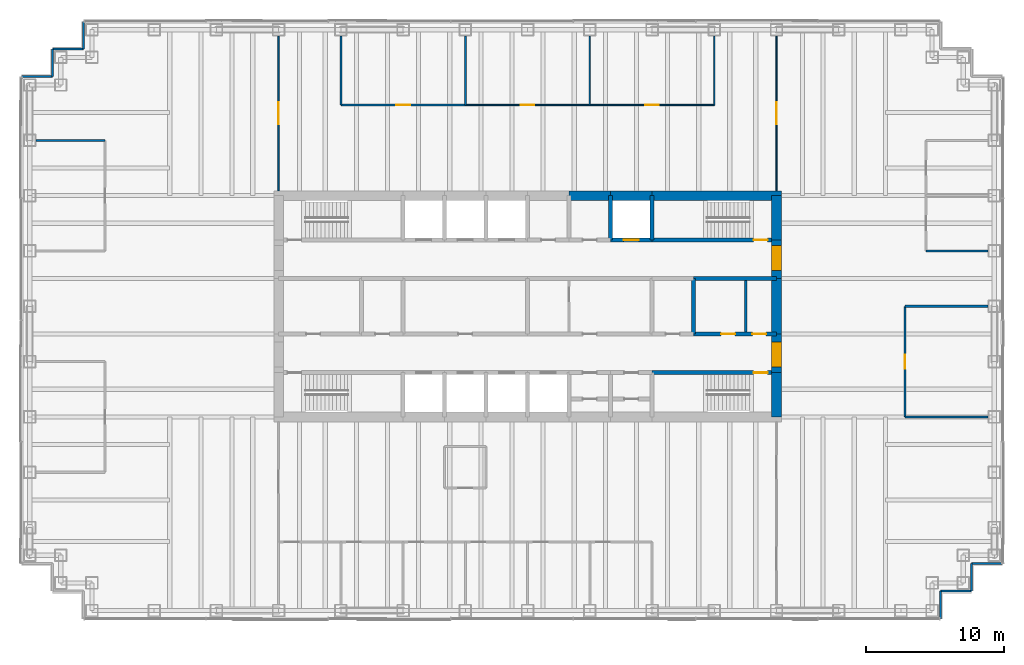
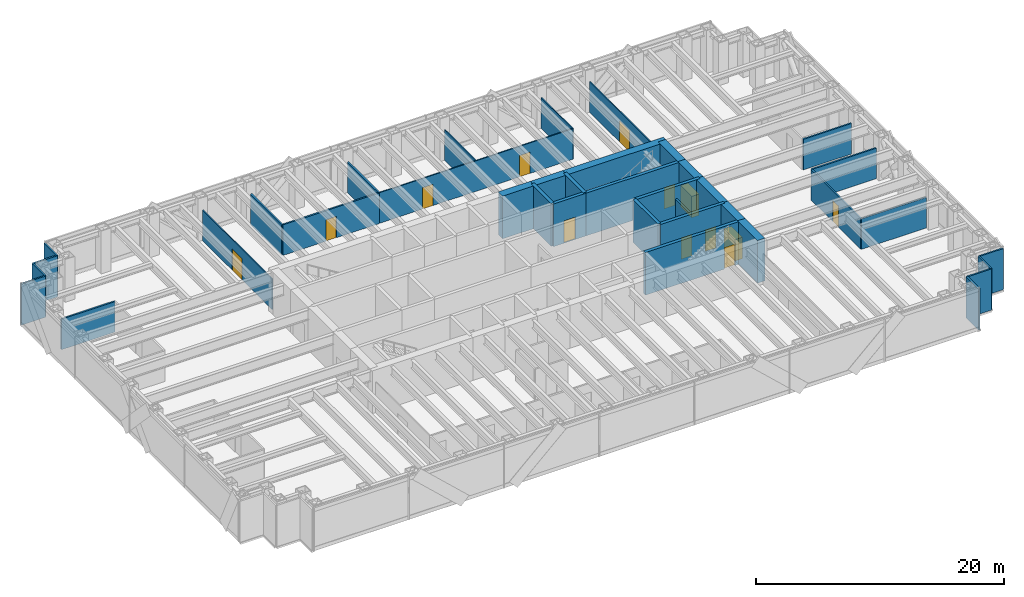
# One storey, part 13 of 15: 38 walls, 13 doors, 13 openings.
"""IFC4 building model written with IfcOpenShell, lengths in metres."""

from ifc_helpers import new_model, si_unit, direction, frame, frame_2d, origin, place, context, subcontext, project, spatial, rectangle, extrude, material, layer, layer_set, type_object, element, fill, save


model = new_model("IFC4")

# Units and contexts
model_context = context("Model", 3, precision=1e-05, world=origin(), true_north=direction((0.0, 1.0)))
body_context = subcontext(model_context, "Body", "Model", "MODEL_VIEW")
ifc_project = project(units=[si_unit("LENGTHUNIT", "METRE"), si_unit("AREAUNIT", "SQUARE_METRE"), si_unit("VOLUMEUNIT", "CUBIC_METRE"), si_unit("PLANEANGLEUNIT", "RADIAN"), si_unit("MASSUNIT", "GRAM", prefix="KILO")], contexts=[model_context])

# Site, building, storey
site_placement = place(None, origin())
site = spatial("IfcSite", under=ifc_project, at=site_placement, CompositionType="ELEMENT")
building_placement = place(site_placement, origin())
building = spatial("IfcBuilding", under=site, at=building_placement, Name="Rheinbord Bourse Tower", CompositionType="ELEMENT")
storey_placement = place(building_placement, frame((0.0, 0.0, 292.10009765625)))
storey = spatial("IfcBuildingStorey", under=building, at=storey_placement, Name="L66", CompositionType="ELEMENT", Elevation=292.10009765625)

# Wall, opening, door
ifc_material_1 = material(Name="Concrete C50/60", Category="concrete")
ifc_layer_1 = layer(ifc_material_1, 0.300048828125)
ifc_layer_set_1 = layer_set([ifc_layer_1], Name="CORE INNER WALL 300")
wall_type_1 = type_object("IfcWallType", Name="CORE INNER WALL 300", PredefinedType="SOLIDWALL", material=ifc_layer_set_1)
wall_1_placement = place(storey_placement, frame((45.0, 19.199951171875, 0.0), z_axis=(0.0, 0.0, 1.0), x_axis=(1.0, 0.0, 0.0)))
wall_1 = element("IfcWall", 1, at=wall_1_placement, inside=storey, type_object=wall_type_1, Name="Core wall A8 L66", PredefinedType="SOLIDWALL", context=body_context, shape_type="SweptSolid", body=[
    extrude(rectangle(XDim=9.0, YDim=0.300048828125, at=frame_2d((4.5, 0.0))), origin(), (0.0, 0.0, 1.0), 4.199951171875),
])
opening_1_placement = place(wall_1_placement, frame((7.35009765625, 0.0, 0.0)))
opening_1 = element("IfcOpeningElement", 2, at=opening_1_placement, cuts=wall_1, Name="Opening 6630", PredefinedType="OPENING", context=body_context, shape_type="SweptSolid", body=[
    extrude(rectangle(XDim=1.0, YDim=2.10009765625, at=frame_2d((0.5, 1.050048828125))), frame((0.0, 0.159912109375, 0.0), z_axis=(0.0, -1.0, 0.0), x_axis=(1.0, 0.0, 0.0)), (0.0, 0.0, 1.0), 0.320068359375),
])
ifc_material_2 = material(Name="Steel door", Category="steel")
door_type_1 = type_object("IfcDoorType", Name="DOOR 1000 EI30", OperationType="SINGLE_SWING_LEFT", PredefinedType="DOOR", material=ifc_material_2)
door_1_placement = place(opening_1_placement, origin())
door_1 = element("IfcDoor", 3, at=door_1_placement, inside=storey, type_object=door_type_1, Name="Stair door ST3 L66", OperationType="SINGLE_SWING_RIGHT", OverallHeight=2.10009765625, OverallWidth=1.0, PredefinedType="DOOR", context=body_context, shape_type="SweptSolid", body=[
    extrude(rectangle(XDim=1.0, YDim=2.10009765625, at=frame_2d((0.5, 1.050048828125))), frame((0.0, 0.02490234375, 0.0), z_axis=(0.0, -1.0, 0.0), x_axis=(1.0, 0.0, 0.0)), (0.0, 0.0, 1.0), 0.050048828125),
])
fill(opening_1, door_1)

wall_2_placement = place(storey_placement, frame((42.0, 28.800048828125, 0.0), z_axis=(0.0, 0.0, 1.0), x_axis=(1.0, 0.0, 0.0)))
wall_2 = element("IfcWall", 4, at=wall_2_placement, inside=storey, type_object=wall_type_1, Name="Core wall B7 L66", PredefinedType="SOLIDWALL", context=body_context, shape_type="SweptSolid", body=[
    extrude(rectangle(XDim=3.0, YDim=0.300048828125, at=frame_2d((1.5, 0.0))), origin(), (0.0, 0.0, 1.0), 4.199951171875),
])
opening_2_placement = place(wall_2_placement, frame((0.949951171875, 0.0, 0.0)))
opening_2 = element("IfcOpeningElement", 5, at=opening_2_placement, cuts=wall_2, Name="Opening FL2", PredefinedType="OPENING", context=body_context, shape_type="SweptSolid", body=[
    extrude(rectangle(XDim=1.10009765625, YDim=2.199951171875, at=frame_2d((0.550048828125, 1.10009765625))), frame((0.0, 0.159912109375, 0.0), z_axis=(0.0, -1.0, 0.0), x_axis=(1.0, 0.0, 0.0)), (0.0, 0.0, 1.0), 0.320068359375),
])
ifc_material_3 = material(Name="Steel landing door", Category="steel")
door_type_2 = type_object("IfcDoorType", Name="LIFT LANDING DOOR 1100", OperationType="DOUBLE_DOOR_SLIDING", PredefinedType="USERDEFINED", material=ifc_material_3)
door_2_placement = place(opening_2_placement, origin())
door_2 = element("IfcDoor", 6, at=door_2_placement, inside=storey, type_object=door_type_2, Name="Lift landing door FL2 L66", ObjectType="LIFT LANDING DOOR", OperationType="DOUBLE_DOOR_SLIDING", OverallHeight=2.199951171875, OverallWidth=1.10009765625, PredefinedType="USERDEFINED", context=body_context, shape_type="SweptSolid", body=[
    extrude(rectangle(XDim=1.10009765625, YDim=2.199951171875, at=frame_2d((0.550048828125, 1.10009765625))), frame((0.0, 0.02490234375, 0.0), z_axis=(0.0, -1.0, 0.0), x_axis=(1.0, 0.0, 0.0)), (0.0, 0.0, 1.0), 0.050048828125),
])
fill(opening_2, door_2)

wall_3_placement = place(storey_placement, frame((45.0, 28.800048828125, 0.0), z_axis=(0.0, 0.0, 1.0), x_axis=(1.0, 0.0, 0.0)))
wall_3 = element("IfcWall", 7, at=wall_3_placement, inside=storey, type_object=wall_type_1, Name="Core wall B8 L66", PredefinedType="SOLIDWALL", context=body_context, shape_type="SweptSolid", body=[
    extrude(rectangle(XDim=9.0, YDim=0.300048828125, at=frame_2d((4.5, 0.0))), origin(), (0.0, 0.0, 1.0), 4.199951171875),
])
opening_3_placement = place(wall_3_placement, frame((7.35009765625, 0.0, 0.0)))
opening_3 = element("IfcOpeningElement", 8, at=opening_3_placement, cuts=wall_3, Name="Opening 6640", PredefinedType="OPENING", context=body_context, shape_type="SweptSolid", body=[
    extrude(rectangle(XDim=1.0, YDim=2.10009765625, at=frame_2d((0.5, 1.050048828125))), frame((0.0, 0.159912109375, 0.0), z_axis=(0.0, -1.0, 0.0), x_axis=(1.0, 0.0, 0.0)), (0.0, 0.0, 1.0), 0.320068359375),
])
door_3_placement = place(opening_3_placement, origin())
door_3 = element("IfcDoor", 9, at=door_3_placement, inside=storey, type_object=door_type_1, Name="Stair door ST4 L66", OperationType="SINGLE_SWING_RIGHT", OverallHeight=2.10009765625, OverallWidth=1.0, PredefinedType="DOOR", context=body_context, shape_type="SweptSolid", body=[
    extrude(rectangle(XDim=1.0, YDim=2.10009765625, at=frame_2d((0.5, 1.050048828125))), frame((0.0, 0.02490234375, 0.0), z_axis=(0.0, -1.0, 0.0), x_axis=(1.0, 0.0, 0.0)), (0.0, 0.0, 1.0), 0.050048828125),
])
fill(opening_3, door_3)

# Wall, openings, doors
wall_4_placement = place(storey_placement, frame((48.0, 22.0, 0.0), z_axis=(0.0, 0.0, 1.0), x_axis=(1.0, 0.0, 0.0)))
wall_4 = element("IfcWall", 10, at=wall_4_placement, inside=storey, type_object=wall_type_1, Name="Core wall C6 L66", PredefinedType="SOLIDWALL", context=body_context, shape_type="SweptSolid", body=[
    extrude(rectangle(XDim=6.0, YDim=0.300048828125, at=frame_2d((3.0, 0.0))), origin(), (0.0, 0.0, 1.0), 4.199951171875),
])
opening_4_placement = place(wall_4_placement, frame((2.0, 0.0, 0.0)))
opening_4 = element("IfcOpeningElement", 11, at=opening_4_placement, cuts=wall_4, Name="Opening 66R6", PredefinedType="OPENING", context=body_context, shape_type="SweptSolid", body=[
    extrude(rectangle(XDim=1.0, YDim=2.10009765625, at=frame_2d((0.5, 1.050048828125))), frame((0.0, 0.159912109375, 0.0), z_axis=(0.0, -1.0, 0.0), x_axis=(1.0, 0.0, 0.0)), (0.0, 0.0, 1.0), 0.320068359375),
])
opening_5_placement = place(wall_4_placement, frame((4.25, 0.0, 0.0)))
opening_5 = element("IfcOpeningElement", 12, at=opening_5_placement, cuts=wall_4, Name="Opening 66R10", PredefinedType="OPENING", context=body_context, shape_type="SweptSolid", body=[
    extrude(rectangle(XDim=1.0, YDim=2.10009765625, at=frame_2d((0.5, 1.050048828125))), frame((0.0, 0.159912109375, 0.0), z_axis=(0.0, -1.0, 0.0), x_axis=(1.0, 0.0, 0.0)), (0.0, 0.0, 1.0), 0.320068359375),
])
door_4_placement = place(opening_5_placement, origin())
door_4 = element("IfcDoor", 13, at=door_4_placement, inside=storey, type_object=door_type_1, Name="Baby change door L66", OperationType="SINGLE_SWING_RIGHT", OverallHeight=2.10009765625, OverallWidth=1.0, PredefinedType="DOOR", context=body_context, shape_type="SweptSolid", body=[
    extrude(rectangle(XDim=1.0, YDim=2.10009765625, at=frame_2d((0.5, 1.050048828125))), frame((0.0, 0.02490234375, 0.0), z_axis=(0.0, -1.0, 0.0), x_axis=(1.0, 0.0, 0.0)), (0.0, 0.0, 1.0), 0.050048828125),
])
fill(opening_5, door_4)
ifc_material_4 = material(Name="Timber door", Category="wood")
door_type_3 = type_object("IfcDoorType", Name="DOOR 1000 WC", OperationType="SINGLE_SWING_LEFT", PredefinedType="DOOR", material=ifc_material_4)
door_5_placement = place(opening_4_placement, origin())
door_5 = element("IfcDoor", 14, at=door_5_placement, inside=storey, type_object=door_type_3, Name="WC women door L66", OperationType="SINGLE_SWING_LEFT", OverallHeight=2.10009765625, OverallWidth=1.0, PredefinedType="DOOR", context=body_context, shape_type="SweptSolid", body=[
    extrude(rectangle(XDim=1.0, YDim=2.10009765625, at=frame_2d((0.5, 1.050048828125))), frame((0.0, 0.02490234375, 0.0), z_axis=(0.0, -1.0, 0.0), x_axis=(1.0, 0.0, 0.0)), (0.0, 0.0, 1.0), 0.050048828125),
])
fill(opening_4, door_5)

# Walls
wall_5_placement = place(storey_placement, frame((48.0, 26.0, 0.0), z_axis=(0.0, 0.0, 1.0), x_axis=(1.0, 0.0, 0.0)))
element("IfcWall", 15, at=wall_5_placement, inside=storey, type_object=wall_type_1, Name="Core wall D6 L66", PredefinedType="SOLIDWALL", context=body_context, shape_type="SweptSolid", body=[
    extrude(rectangle(XDim=6.0, YDim=0.300048828125, at=frame_2d((3.0, 0.0))), origin(), (0.0, 0.0, 1.0), 4.199951171875),
])
for number, where, z_axis, x_axis, name in (
    (16, (42.0, 28.800048828125, 0.0), (0.0, 0.0, 1.0), (0.0, 1.0, 0.0), "Core wall NX42 L66"),
    (17, (45.0, 28.800048828125, 0.0), (0.0, 0.0, 1.0), (0.0, 1.0, 0.0), "Core wall NX45 L66"),
):
    element("IfcWall", number, at=place(storey_placement, frame(where, z_axis=z_axis, x_axis=x_axis)), inside=storey, type_object=wall_type_1, Name=name, PredefinedType="SOLIDWALL", context=body_context, shape_type="SweptSolid", body=[
        extrude(rectangle(XDim=3.199951171875, YDim=0.300048828125, at=frame_2d((1.60009765625, 0.0))), origin(), (0.0, 0.0, 1.0), 4.199951171875),
    ])
wall_6_placement = place(storey_placement, frame((48.0, 22.0, 0.0), z_axis=(0.0, 0.0, 1.0), x_axis=(0.0, 1.0, 0.0)))
element("IfcWall", 18, at=wall_6_placement, inside=storey, type_object=wall_type_1, Name="Core wall MX48 L66", PredefinedType="SOLIDWALL", context=body_context, shape_type="SweptSolid", body=[
    extrude(rectangle(XDim=4.0, YDim=0.300048828125, at=frame_2d((2.0, 0.0))), origin(), (0.0, 0.0, 1.0), 4.199951171875),
])
ifc_material_5 = material(Name="Gypsum board fire partition", Category="gypsum board")
ifc_layer_2 = layer(ifc_material_5, 0.14990234375)
ifc_layer_set_2 = layer_set([ifc_layer_2], Name="CORE PARTITION 150 EI30")
wall_type_2 = type_object("IfcWallType", Name="CORE PARTITION 150 EI30", PredefinedType="PARTITIONING", material=ifc_layer_set_2)
wall_7_placement = place(storey_placement, frame((51.77490234375, 22.14990234375, 0.0), z_axis=(0.0, 0.0, 1.0), x_axis=(0.0, 1.0, 0.0)))
element("IfcWall", 19, at=wall_7_placement, inside=storey, type_object=wall_type_2, Name="Core partition L66-3", PredefinedType="PARTITIONING", context=body_context, shape_type="SweptSolid", body=[
    extrude(rectangle(XDim=3.7001953125, YDim=0.14990234375, at=frame_2d((1.85009765625, 0.0))), origin(), (0.0, 0.0, 1.0), 3.0),
])
ifc_material_6 = material(Name="Concrete C50/60", Category="concrete")
ifc_layer_3 = layer(ifc_material_6, 0.699951171875)
ifc_layer_set_3 = layer_set([ifc_layer_3], Name="CORE WALL 700")
wall_type_3 = type_object("IfcWallType", Name="CORE WALL 700", PredefinedType="SHEAR", material=ifc_layer_set_3)
wall_8_placement = place(storey_placement, frame((54.35009765625, 32.0, 0.0), z_axis=(0.0, 0.0, 1.0), x_axis=(-1.0, 0.0, 0.0)))
element("IfcWall", 20, at=wall_8_placement, inside=storey, type_object=wall_type_3, Name="Core wall N1 L66", PredefinedType="SHEAR", context=body_context, shape_type="SweptSolid", body=[
    extrude(rectangle(XDim=9.35009765625, YDim=0.699951171875, at=frame_2d((4.675048828125, 0.0))), origin(), (0.0, 0.0, 1.0), 4.199951171875),
])
for number, where, z_axis, x_axis, name in (
    (21, (45.0, 32.0, 0.0), (0.0, 0.0, 1.0), (-1.0, 0.0, 0.0), "Core wall N2 L66"),
    (22, (42.0, 32.0, 0.0), (0.0, 0.0, 1.0), (-1.0, 0.0, 0.0), "Core wall N3 L66"),
):
    element("IfcWall", number, at=place(storey_placement, frame(where, z_axis=z_axis, x_axis=x_axis)), inside=storey, type_object=wall_type_3, Name=name, PredefinedType="SHEAR", context=body_context, shape_type="SweptSolid", body=[
        extrude(rectangle(XDim=3.0, YDim=0.699951171875, at=frame_2d((1.5, 0.0))), origin(), (0.0, 0.0, 1.0), 4.199951171875),
    ])
wall_9_placement = place(storey_placement, frame((54.0, 16.0, 0.0), z_axis=(0.0, 0.0, 1.0), x_axis=(0.0, 1.0, 0.0)))
element("IfcWall", 23, at=wall_9_placement, inside=storey, type_object=wall_type_3, Name="Core wall E1 L66", PredefinedType="SHEAR", context=body_context, shape_type="SweptSolid", body=[
    extrude(rectangle(XDim=3.199951171875, YDim=0.699951171875, at=frame_2d((1.60009765625, 0.0))), origin(), (0.0, 0.0, 1.0), 4.199951171875),
])

# Wall, opening, door
wall_10_placement = place(storey_placement, frame((54.0, 19.199951171875, 0.0), z_axis=(0.0, 0.0, 1.0), x_axis=(0.0, 1.0, 0.0)))
wall_10 = element("IfcWall", 24, at=wall_10_placement, inside=storey, type_object=wall_type_3, Name="Core wall E2 L66", PredefinedType="SHEAR", context=body_context, shape_type="SweptSolid", body=[
    extrude(rectangle(XDim=2.800048828125, YDim=0.699951171875, at=frame_2d((1.39990234375, 0.0))), origin(), (0.0, 0.0, 1.0), 4.199951171875),
])
opening_6_placement = place(wall_10_placement, frame((0.39990234375, 0.0, 0.0)))
opening_6 = element("IfcOpeningElement", 25, at=opening_6_placement, cuts=wall_10, Name="Opening 66L3", PredefinedType="OPENING", context=body_context, shape_type="SweptSolid", body=[
    extrude(rectangle(XDim=1.800048828125, YDim=2.10009765625, at=frame_2d((0.89990234375, 1.050048828125))), frame((0.0, 0.35986328125, 0.0), z_axis=(0.0, -1.0, 0.0), x_axis=(1.0, 0.0, 0.0)), (0.0, 0.0, 1.0), 0.719970703125),
])
ifc_material_7 = material(Name="Steel door", Category="steel")
door_type_4 = type_object("IfcDoorType", Name="DOOR 1800 EI30 DOUBLE", OperationType="DOUBLE_DOOR_DOUBLE_SWING", PredefinedType="DOOR", material=ifc_material_7)
door_6_placement = place(opening_6_placement, origin())
door_6 = element("IfcDoor", 26, at=door_6_placement, inside=storey, type_object=door_type_4, Name="Lobby door 3 L66", OperationType="SINGLE_SWING_LEFT", OverallHeight=2.10009765625, OverallWidth=1.800048828125, PredefinedType="DOOR", context=body_context, shape_type="SweptSolid", body=[
    extrude(rectangle(XDim=1.800048828125, YDim=2.10009765625, at=frame_2d((0.89990234375, 1.050048828125))), frame((0.0, 0.349609375, 0.0), z_axis=(0.0, -1.0, 0.0), x_axis=(1.0, 0.0, 0.0)), (0.0, 0.0, 1.0), 0.699462890625),
])
fill(opening_6, door_6)

# Wall
wall_11_placement = place(storey_placement, frame((54.0, 22.0, 0.0), z_axis=(0.0, 0.0, 1.0), x_axis=(0.0, 1.0, 0.0)))
element("IfcWall", 27, at=wall_11_placement, inside=storey, type_object=wall_type_3, Name="Core wall E3 L66", PredefinedType="SHEAR", context=body_context, shape_type="SweptSolid", body=[
    extrude(rectangle(XDim=4.0, YDim=0.699951171875, at=frame_2d((2.0, 0.0))), origin(), (0.0, 0.0, 1.0), 4.199951171875),
])

# Wall, opening, door
wall_12_placement = place(storey_placement, frame((54.0, 26.0, 0.0), z_axis=(0.0, 0.0, 1.0), x_axis=(0.0, 1.0, 0.0)))
wall_12 = element("IfcWall", 28, at=wall_12_placement, inside=storey, type_object=wall_type_3, Name="Core wall E4 L66", PredefinedType="SHEAR", context=body_context, shape_type="SweptSolid", body=[
    extrude(rectangle(XDim=2.800048828125, YDim=0.699951171875, at=frame_2d((1.39990234375, 0.0))), origin(), (0.0, 0.0, 1.0), 4.199951171875),
])
opening_7_placement = place(wall_12_placement, frame((0.60009765625, 0.0, 0.0)))
opening_7 = element("IfcOpeningElement", 29, at=opening_7_placement, cuts=wall_12, Name="Opening 66L4", PredefinedType="OPENING", context=body_context, shape_type="SweptSolid", body=[
    extrude(rectangle(XDim=1.800048828125, YDim=2.10009765625, at=frame_2d((0.89990234375, 1.050048828125))), frame((0.0, 0.35986328125, 0.0), z_axis=(0.0, -1.0, 0.0), x_axis=(1.0, 0.0, 0.0)), (0.0, 0.0, 1.0), 0.719970703125),
])
door_7_placement = place(opening_7_placement, origin())
door_7 = element("IfcDoor", 30, at=door_7_placement, inside=storey, type_object=door_type_4, Name="Lobby door 4 L66", OperationType="SINGLE_SWING_LEFT", OverallHeight=2.10009765625, OverallWidth=1.800048828125, PredefinedType="DOOR", context=body_context, shape_type="SweptSolid", body=[
    extrude(rectangle(XDim=1.800048828125, YDim=2.10009765625, at=frame_2d((0.89990234375, 1.050048828125))), frame((0.0, 0.349609375, 0.0), z_axis=(0.0, -1.0, 0.0), x_axis=(1.0, 0.0, 0.0)), (0.0, 0.0, 1.0), 0.699462890625),
])
fill(opening_7, door_7)

# Walls
wall_13_placement = place(storey_placement, frame((54.0, 28.800048828125, 0.0), z_axis=(0.0, 0.0, 1.0), x_axis=(0.0, 1.0, 0.0)))
element("IfcWall", 31, at=wall_13_placement, inside=storey, type_object=wall_type_3, Name="Core wall E5 L66", PredefinedType="SHEAR", context=body_context, shape_type="SweptSolid", body=[
    extrude(rectangle(XDim=3.199951171875, YDim=0.699951171875, at=frame_2d((1.60009765625, 0.0))), origin(), (0.0, 0.0, 1.0), 4.199951171875),
])
ifc_material_8 = material(Name="Black metal rainscreen panel", Category="aluminium")
ifc_layer_4 = layer(ifc_material_8, 0.14990234375)
ifc_layer_set_4 = layer_set([ifc_layer_4], Name="CORNER PIER CLADDING 150")
wall_type_4 = type_object("IfcWallType", Name="CORNER PIER CLADDING 150", PredefinedType="ELEMENTEDWALL", material=ifc_layer_set_4)
wall_14_placement = place(storey_placement, frame((65.85009765625, 1.39990234375, 0.0), z_axis=(0.0, 0.0, 1.0), x_axis=(0.0, 1.0, 0.0)))
element("IfcWall", 32, at=wall_14_placement, inside=storey, type_object=wall_type_4, Name="Corner pier cladding L66 2", PredefinedType="ELEMENTEDWALL", context=body_context, shape_type="SweptSolid", body=[
    extrude(rectangle(XDim=2.0, YDim=0.14990234375, at=frame_2d((1.0, 0.0))), origin(), (0.0, 0.0, 1.0), 4.039794921875),
])
wall_15_placement = place(storey_placement, frame((65.85009765625, 3.39990234375, 0.0), z_axis=(0.0, 0.0, 1.0), x_axis=(1.0, 0.0, 0.0)))
element("IfcWall", 33, at=wall_15_placement, inside=storey, type_object=wall_type_4, Name="Corner pier cladding L66 3", PredefinedType="ELEMENTEDWALL", context=body_context, shape_type="SweptSolid", body=[
    extrude(rectangle(XDim=2.25, YDim=0.14990234375, at=frame_2d((1.125, 0.0))), origin(), (0.0, 0.0, 1.0), 4.039794921875),
])
wall_16_placement = place(storey_placement, frame((68.10009765625, 3.39990234375, 0.0), z_axis=(0.0, 0.0, 1.0), x_axis=(0.0, 1.0, 0.0)))
element("IfcWall", 34, at=wall_16_placement, inside=storey, type_object=wall_type_4, Name="Corner pier cladding L66 4", PredefinedType="ELEMENTEDWALL", context=body_context, shape_type="SweptSolid", body=[
    extrude(rectangle(XDim=2.0, YDim=0.14990234375, at=frame_2d((1.0, 0.0))), origin(), (0.0, 0.0, 1.0), 4.039794921875),
])
wall_17_placement = place(storey_placement, frame((68.10009765625, 5.39990234375, 0.0), z_axis=(0.0, 0.0, 1.0), x_axis=(1.0, 0.0, 0.0)))
element("IfcWall", 35, at=wall_17_placement, inside=storey, type_object=wall_type_4, Name="Corner pier cladding L66 5", PredefinedType="ELEMENTEDWALL", context=body_context, shape_type="SweptSolid", body=[
    extrude(rectangle(XDim=2.25, YDim=0.14990234375, at=frame_2d((1.125, 0.0))), origin(), (0.0, 0.0, 1.0), 4.039794921875),
])
wall_18_placement = place(storey_placement, frame((3.89990234375, 44.60009765625, 0.0), z_axis=(0.0, 0.0, 1.0), x_axis=(0.0, -1.0, 0.0)))
element("IfcWall", 36, at=wall_18_placement, inside=storey, type_object=wall_type_4, Name="Corner pier cladding L66 12", PredefinedType="ELEMENTEDWALL", context=body_context, shape_type="SweptSolid", body=[
    extrude(rectangle(XDim=2.0, YDim=0.14990234375, at=frame_2d((1.0, 0.0))), origin(), (0.0, 0.0, 1.0), 4.039794921875),
])
wall_19_placement = place(storey_placement, frame((3.89990234375, 42.60009765625, 0.0), z_axis=(0.0, 0.0, 1.0), x_axis=(-1.0, 0.0, 0.0)))
element("IfcWall", 37, at=wall_19_placement, inside=storey, type_object=wall_type_4, Name="Corner pier cladding L66 13", PredefinedType="ELEMENTEDWALL", context=body_context, shape_type="SweptSolid", body=[
    extrude(rectangle(XDim=2.25, YDim=0.14990234375, at=frame_2d((1.125, 0.0))), origin(), (0.0, 0.0, 1.0), 4.039794921875),
])
wall_20_placement = place(storey_placement, frame((1.64990234375, 42.60009765625, 0.0), z_axis=(0.0, 0.0, 1.0), x_axis=(0.0, -1.0, 0.0)))
element("IfcWall", 38, at=wall_20_placement, inside=storey, type_object=wall_type_4, Name="Corner pier cladding L66 14", PredefinedType="ELEMENTEDWALL", context=body_context, shape_type="SweptSolid", body=[
    extrude(rectangle(XDim=2.0, YDim=0.14990234375, at=frame_2d((1.0, 0.0))), origin(), (0.0, 0.0, 1.0), 4.039794921875),
])
wall_21_placement = place(storey_placement, frame((1.64990234375, 40.60009765625, 0.0), z_axis=(0.0, 0.0, 1.0), x_axis=(-1.0, 0.0, 0.0)))
element("IfcWall", 39, at=wall_21_placement, inside=storey, type_object=wall_type_4, Name="Corner pier cladding L66 15", PredefinedType="ELEMENTEDWALL", context=body_context, shape_type="SweptSolid", body=[
    extrude(rectangle(XDim=2.25, YDim=0.14990234375, at=frame_2d((1.125, 0.0))), origin(), (0.0, 0.0, 1.0), 4.039794921875),
])
ifc_material_9 = material(Name="Gypsum board fire partition", Category="gypsum board")
ifc_layer_5 = layer(ifc_material_9, 0.14990234375)
ifc_layer_set_5 = layer_set([ifc_layer_5], Name="FIRE PARTITION 150 EI60")
wall_type_5 = type_object("IfcWallType", Name="FIRE PARTITION 150 EI60", PredefinedType="PARTITIONING", material=ifc_layer_set_5)
wall_22_placement = place(storey_placement, frame((0.449951171875, 36.0, 0.0), z_axis=(0.0, 0.0, 1.0), x_axis=(1.0, 0.0, 0.0)))
element("IfcWall", 40, at=wall_22_placement, inside=storey, type_object=wall_type_5, Name="Partition L66-11", PredefinedType="PARTITIONING", context=body_context, shape_type="SweptSolid", body=[
    extrude(rectangle(XDim=5.0, YDim=0.14990234375, at=frame_2d((2.5, 0.0))), origin(), (0.0, 0.0, 1.0), 3.0),
])

# Wall, opening, door
wall_23_placement = place(storey_placement, frame((22.5, 38.550048828125, 0.0), z_axis=(0.0, 0.0, 1.0), x_axis=(1.0, 0.0, 0.0)))
wall_23 = element("IfcWall", 41, at=wall_23_placement, inside=storey, type_object=wall_type_5, Name="Partition L66-13", PredefinedType="PARTITIONING", context=body_context, shape_type="SweptSolid", body=[
    extrude(rectangle(XDim=9.0, YDim=0.14990234375, at=frame_2d((4.5, 0.0))), origin(), (0.0, 0.0, 1.0), 3.0),
])
opening_8_placement = place(wall_23_placement, frame((4.0, 0.0, 0.0)))
opening_8 = element("IfcOpeningElement", 42, at=opening_8_placement, cuts=wall_23, Name="Opening 66D13", PredefinedType="OPENING", context=body_context, shape_type="SweptSolid", body=[
    extrude(rectangle(XDim=1.0, YDim=2.10009765625, at=frame_2d((0.5, 1.050048828125))), frame((0.0, 0.0849609375, 0.0), z_axis=(0.0, -1.0, 0.0), x_axis=(1.0, 0.0, 0.0)), (0.0, 0.0, 1.0), 0.169921875),
])
ifc_material_10 = material(Name="Timber fire door", Category="wood")
door_type_5 = type_object("IfcDoorType", Name="FIRE DOOR 1000 EI60", OperationType="SINGLE_SWING_LEFT", PredefinedType="DOOR", material=ifc_material_10)
door_8_placement = place(opening_8_placement, origin())
door_8 = element("IfcDoor", 43, at=door_8_placement, inside=storey, type_object=door_type_5, Name="Board papers room door L66", OperationType="SINGLE_SWING_LEFT", OverallHeight=2.10009765625, OverallWidth=1.0, PredefinedType="DOOR", context=body_context, shape_type="SweptSolid", body=[
    extrude(rectangle(XDim=1.0, YDim=2.10009765625, at=frame_2d((0.5, 1.050048828125))), frame((0.0, 0.02490234375, 0.0), z_axis=(0.0, -1.0, 0.0), x_axis=(1.0, 0.0, 0.0)), (0.0, 0.0, 1.0), 0.050048828125),
])
fill(opening_8, door_8)

# Walls
for number, where, z_axis, x_axis, name in (
    (44, (22.5, 38.550048828125, 0.0), (0.0, 0.0, 1.0), (0.0, 1.0, 0.0), "Partition L66-21"),
    (45, (31.5, 38.550048828125, 0.0), (0.0, 0.0, 1.0), (0.0, 1.0, 0.0), "Partition L66-25"),
):
    element("IfcWall", number, at=place(storey_placement, frame(where, z_axis=z_axis, x_axis=x_axis)), inside=storey, type_object=wall_type_5, Name=name, PredefinedType="PARTITIONING", context=body_context, shape_type="SweptSolid", body=[
        extrude(rectangle(XDim=5.0, YDim=0.14990234375, at=frame_2d((2.5, 0.0))), origin(), (0.0, 0.0, 1.0), 3.0),
    ])

# Wall, openings, doors
ifc_material_11 = material(Name="Toughened laminated glass partition", Category="glass")
ifc_layer_6 = layer(ifc_material_11, 0.10009765625)
ifc_layer_set_6 = layer_set([ifc_layer_6], Name="GLAZED PARTITION 100")
wall_type_6 = type_object("IfcWallType", Name="GLAZED PARTITION 100", PredefinedType="PARTITIONING", material=ifc_layer_set_6)
wall_24_placement = place(storey_placement, frame((31.5, 38.550048828125, 0.0), z_axis=(0.0, 0.0, 1.0), x_axis=(1.0, 0.0, 0.0)))
wall_24 = element("IfcWall", 46, at=wall_24_placement, inside=storey, type_object=wall_type_6, Name="Partition L66-14", PredefinedType="PARTITIONING", context=body_context, shape_type="SweptSolid", body=[
    extrude(rectangle(XDim=18.0, YDim=0.10009765625, at=frame_2d((9.0, 0.0))), origin(), (0.0, 0.0, 1.0), 3.0),
])
opening_9_placement = place(wall_24_placement, frame((4.0, 0.0, 0.0)))
opening_9 = element("IfcOpeningElement", 47, at=opening_9_placement, cuts=wall_24, Name="Opening 66D14", PredefinedType="OPENING", context=body_context, shape_type="SweptSolid", body=[
    extrude(rectangle(XDim=1.0, YDim=2.10009765625, at=frame_2d((0.5, 1.050048828125))), frame((0.0, 0.06005859375, 0.0), z_axis=(0.0, -1.0, 0.0), x_axis=(1.0, 0.0, 0.0)), (0.0, 0.0, 1.0), 0.1201171875),
])
opening_10_placement = place(wall_24_placement, frame((13.0, 0.0, 0.0)))
opening_10 = element("IfcOpeningElement", 48, at=opening_10_placement, cuts=wall_24, Name="Opening 66D15", PredefinedType="OPENING", context=body_context, shape_type="SweptSolid", body=[
    extrude(rectangle(XDim=1.0, YDim=2.10009765625, at=frame_2d((0.5, 1.050048828125))), frame((0.0, 0.06005859375, 0.0), z_axis=(0.0, -1.0, 0.0), x_axis=(1.0, 0.0, 0.0)), (0.0, 0.0, 1.0), 0.1201171875),
])
ifc_material_12 = material(Name="Timber door", Category="wood")
door_type_6 = type_object("IfcDoorType", Name="ROOM DOOR 1000", OperationType="SINGLE_SWING_LEFT", PredefinedType="DOOR", material=ifc_material_12)
door_9_placement = place(opening_9_placement, origin())
door_9 = element("IfcDoor", 49, at=door_9_placement, inside=storey, type_object=door_type_6, Name="Meeting room door L66", OperationType="SINGLE_SWING_LEFT", OverallHeight=2.10009765625, OverallWidth=1.0, PredefinedType="DOOR", context=body_context, shape_type="SweptSolid", body=[
    extrude(rectangle(XDim=1.0, YDim=2.10009765625, at=frame_2d((0.5, 1.050048828125))), frame((0.0, 0.02490234375, 0.0), z_axis=(0.0, -1.0, 0.0), x_axis=(1.0, 0.0, 0.0)), (0.0, 0.0, 1.0), 0.050048828125),
])
fill(opening_9, door_9)
door_10_placement = place(opening_10_placement, origin())
door_10 = element("IfcDoor", 50, at=door_10_placement, inside=storey, type_object=door_type_6, Name="Meeting room door L66", OperationType="SINGLE_SWING_RIGHT", OverallHeight=2.10009765625, OverallWidth=1.0, PredefinedType="DOOR", context=body_context, shape_type="SweptSolid", body=[
    extrude(rectangle(XDim=1.0, YDim=2.10009765625, at=frame_2d((0.5, 1.050048828125))), frame((0.0, 0.02490234375, 0.0), z_axis=(0.0, -1.0, 0.0), x_axis=(1.0, 0.0, 0.0)), (0.0, 0.0, 1.0), 0.050048828125),
])
fill(opening_10, door_10)

# Wall, opening, door
wall_25_placement = place(storey_placement, frame((18.0, 32.35009765625, 0.0), z_axis=(0.0, 0.0, 1.0), x_axis=(0.0, 1.0, 0.0)))
wall_25 = element("IfcWall", 51, at=wall_25_placement, inside=storey, type_object=wall_type_6, Name="Partition L66-19", PredefinedType="PARTITIONING", context=body_context, shape_type="SweptSolid", body=[
    extrude(rectangle(XDim=11.199951171875, YDim=0.10009765625, at=frame_2d((5.60009765625, 0.0))), origin(), (0.0, 0.0, 1.0), 3.0),
])
opening_11_placement = place(wall_25_placement, frame((4.800048828125, 0.0, 0.0)))
opening_11 = element("IfcOpeningElement", 52, at=opening_11_placement, cuts=wall_25, Name="Opening 66D17", PredefinedType="OPENING", context=body_context, shape_type="SweptSolid", body=[
    extrude(rectangle(XDim=1.60009765625, YDim=2.10009765625, at=frame_2d((0.800048828125, 1.050048828125))), frame((0.0, 0.06005859375, 0.0), z_axis=(0.0, -1.0, 0.0), x_axis=(1.0, 0.0, 0.0)), (0.0, 0.0, 1.0), 0.1201171875),
])
ifc_material_13 = material(Name="Timber door", Category="wood")
door_type_7 = type_object("IfcDoorType", Name="DOUBLE ROOM DOOR 1600", OperationType="DOUBLE_DOOR_DOUBLE_SWING", PredefinedType="DOOR", material=ifc_material_13)
door_11_placement = place(opening_11_placement, origin())
door_11 = element("IfcDoor", 53, at=door_11_placement, inside=storey, type_object=door_type_7, Name="Open area door L66", OperationType="SINGLE_SWING_LEFT", OverallHeight=2.10009765625, OverallWidth=1.60009765625, PredefinedType="DOOR", context=body_context, shape_type="SweptSolid", body=[
    extrude(rectangle(XDim=1.60009765625, YDim=2.10009765625, at=frame_2d((0.800048828125, 1.050048828125))), frame((0.0, 0.02490234375, 0.0), z_axis=(0.0, -1.0, 0.0), x_axis=(1.0, 0.0, 0.0)), (0.0, 0.0, 1.0), 0.050048828125),
])
fill(opening_11, door_11)

# Walls
for number, where, z_axis, x_axis, name in (
    (54, (40.5, 38.550048828125, 0.0), (0.0, 0.0, 1.0), (0.0, 1.0, 0.0), "Partition L66-29"),
    (55, (49.5, 38.550048828125, 0.0), (0.0, 0.0, 1.0), (0.0, 1.0, 0.0), "Partition L66-31"),
):
    element("IfcWall", number, at=place(storey_placement, frame(where, z_axis=z_axis, x_axis=x_axis)), inside=storey, type_object=wall_type_6, Name=name, PredefinedType="PARTITIONING", context=body_context, shape_type="SweptSolid", body=[
        extrude(rectangle(XDim=5.0, YDim=0.10009765625, at=frame_2d((2.5, 0.0))), origin(), (0.0, 0.0, 1.0), 3.0),
    ])

# Wall, opening, door
wall_26_placement = place(storey_placement, frame((54.0, 32.35009765625, 0.0), z_axis=(0.0, 0.0, 1.0), x_axis=(0.0, 1.0, 0.0)))
wall_26 = element("IfcWall", 56, at=wall_26_placement, inside=storey, type_object=wall_type_6, Name="Partition L66-33", PredefinedType="PARTITIONING", context=body_context, shape_type="SweptSolid", body=[
    extrude(rectangle(XDim=11.199951171875, YDim=0.10009765625, at=frame_2d((5.60009765625, 0.0))), origin(), (0.0, 0.0, 1.0), 3.0),
])
opening_12_placement = place(wall_26_placement, frame((4.800048828125, 0.0, 0.0)))
opening_12 = element("IfcOpeningElement", 57, at=opening_12_placement, cuts=wall_26, Name="Opening 66D20", PredefinedType="OPENING", context=body_context, shape_type="SweptSolid", body=[
    extrude(rectangle(XDim=1.60009765625, YDim=2.10009765625, at=frame_2d((0.800048828125, 1.050048828125))), frame((0.0, 0.06005859375, 0.0), z_axis=(0.0, -1.0, 0.0), x_axis=(1.0, 0.0, 0.0)), (0.0, 0.0, 1.0), 0.1201171875),
])
door_12_placement = place(opening_12_placement, origin())
door_12 = element("IfcDoor", 58, at=door_12_placement, inside=storey, type_object=door_type_7, Name="Open area door L66", OperationType="SINGLE_SWING_LEFT", OverallHeight=2.10009765625, OverallWidth=1.60009765625, PredefinedType="DOOR", context=body_context, shape_type="SweptSolid", body=[
    extrude(rectangle(XDim=1.60009765625, YDim=2.10009765625, at=frame_2d((0.800048828125, 1.050048828125))), frame((0.0, 0.02490234375, 0.0), z_axis=(0.0, -1.0, 0.0), x_axis=(1.0, 0.0, 0.0)), (0.0, 0.0, 1.0), 0.050048828125),
])
fill(opening_12, door_12)

# Walls
ifc_material_14 = material(Name="Gypsum board partition", Category="gypsum board")
ifc_layer_7 = layer(ifc_material_14, 0.14990234375)
ifc_layer_set_7 = layer_set([ifc_layer_7], Name="PARTITION 150")
wall_type_7 = type_object("IfcWallType", Name="PARTITION 150", PredefinedType="PARTITIONING", material=ifc_layer_set_7)
for number, where, z_axis, x_axis, name in (
    (59, (63.300048828125, 16.0, 0.0), (0.0, 0.0, 1.0), (1.0, 0.0, 0.0), "Partition L66-05"),
    (60, (63.300048828125, 24.0, 0.0), (0.0, 0.0, 1.0), (1.0, 0.0, 0.0), "Partition L66-07"),
):
    element("IfcWall", number, at=place(storey_placement, frame(where, z_axis=z_axis, x_axis=x_axis)), inside=storey, type_object=wall_type_7, Name=name, PredefinedType="PARTITIONING", context=body_context, shape_type="SweptSolid", body=[
        extrude(rectangle(XDim=6.0, YDim=0.14990234375, at=frame_2d((3.0, 0.0))), origin(), (0.0, 0.0, 1.0), 3.0),
    ])
wall_27_placement = place(storey_placement, frame((64.800048828125, 28.0, 0.0), z_axis=(0.0, 0.0, 1.0), x_axis=(1.0, 0.0, 0.0)))
element("IfcWall", 61, at=wall_27_placement, inside=storey, type_object=wall_type_7, Name="Partition L66-09", PredefinedType="PARTITIONING", context=body_context, shape_type="SweptSolid", body=[
    extrude(rectangle(XDim=4.5, YDim=0.14990234375, at=frame_2d((2.25, 0.0))), origin(), (0.0, 0.0, 1.0), 3.0),
])

# Wall, opening, door
wall_28_placement = place(storey_placement, frame((63.300048828125, 16.0, 0.0), z_axis=(0.0, 0.0, 1.0), x_axis=(0.0, 1.0, 0.0)))
wall_28 = element("IfcWall", 62, at=wall_28_placement, inside=storey, type_object=wall_type_7, Name="Partition L66-34", PredefinedType="PARTITIONING", context=body_context, shape_type="SweptSolid", body=[
    extrude(rectangle(XDim=8.0, YDim=0.14990234375, at=frame_2d((4.0, 0.0))), origin(), (0.0, 0.0, 1.0), 3.0),
])
opening_13_placement = place(wall_28_placement, frame((3.5, 0.0, 0.0)))
opening_13 = element("IfcOpeningElement", 63, at=opening_13_placement, cuts=wall_28, Name="Opening 66D09", PredefinedType="OPENING", context=body_context, shape_type="SweptSolid", body=[
    extrude(rectangle(XDim=1.0, YDim=2.10009765625, at=frame_2d((0.5, 1.050048828125))), frame((0.0, 0.0849609375, 0.0), z_axis=(0.0, -1.0, 0.0), x_axis=(1.0, 0.0, 0.0)), (0.0, 0.0, 1.0), 0.169921875),
])
door_13_placement = place(opening_13_placement, origin())
door_13 = element("IfcDoor", 64, at=door_13_placement, inside=storey, type_object=door_type_6, Name="Pantry door L66", OperationType="SINGLE_SWING_LEFT", OverallHeight=2.10009765625, OverallWidth=1.0, PredefinedType="DOOR", context=body_context, shape_type="SweptSolid", body=[
    extrude(rectangle(XDim=1.0, YDim=2.10009765625, at=frame_2d((0.5, 1.050048828125))), frame((0.0, 0.02490234375, 0.0), z_axis=(0.0, -1.0, 0.0), x_axis=(1.0, 0.0, 0.0)), (0.0, 0.0, 1.0), 0.050048828125),
])
fill(opening_13, door_13)

save(model, "model.ifc")
